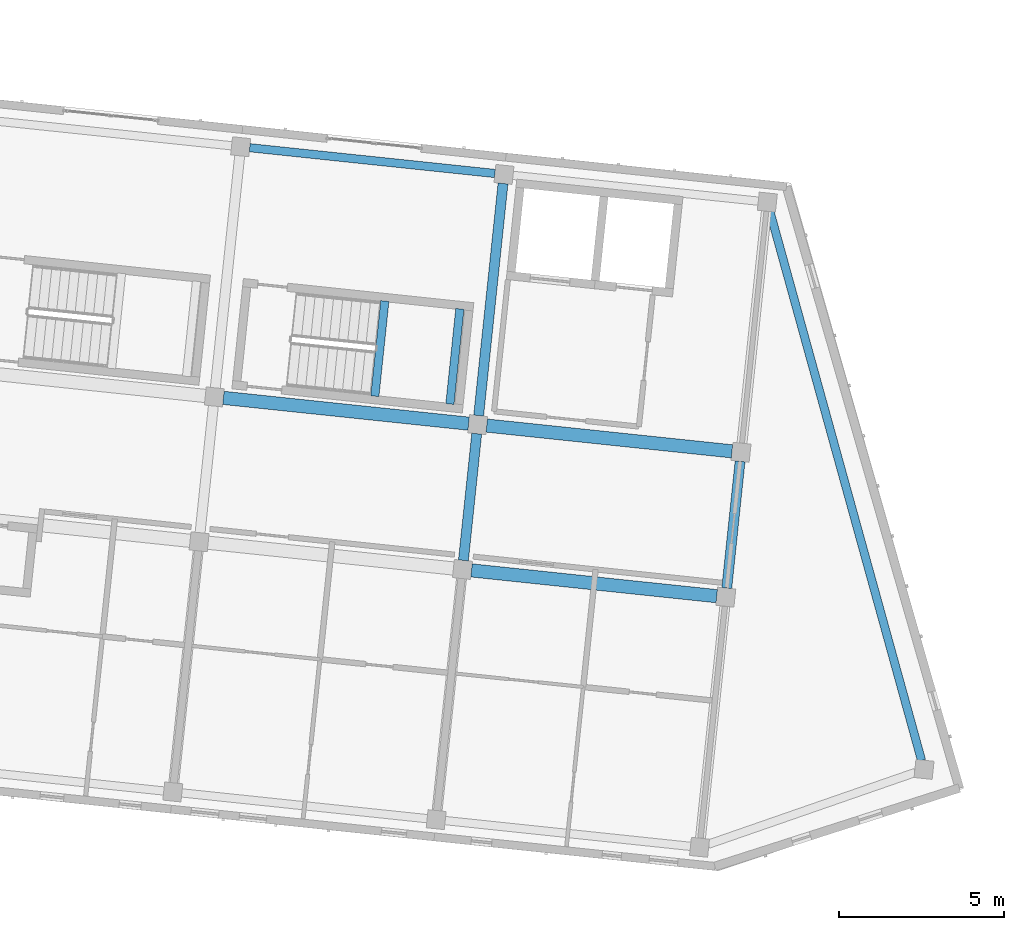
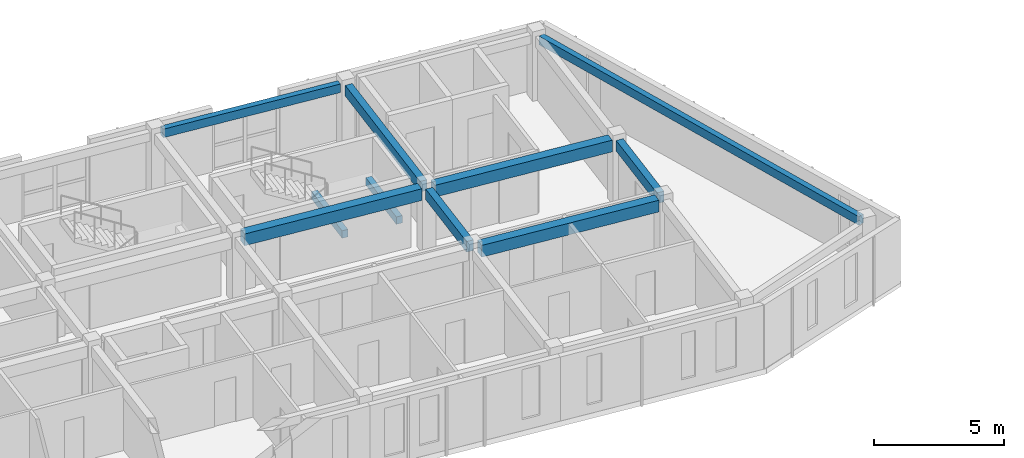
# One storey, part 14 of 66: 10 beams.
"""IFC4 building model written with IfcOpenShell, lengths in metres."""

from ifc_helpers import new_model, si_unit, direction, frame, origin, origin_2d, place, context, subcontext, project, spatial, rectangle, extrude, material, material_profile, profile_set, type_object, element, save


model = new_model("IFC4")

# Units and contexts
model_context = context("Model", 3, precision=1e-05, world=origin(), true_north=direction((0.0, 1.0)))
body_context = subcontext(model_context, "Body", "Model", "MODEL_VIEW")
ifc_project = project(units=[si_unit("LENGTHUNIT", "METRE"), si_unit("AREAUNIT", "SQUARE_METRE"), si_unit("VOLUMEUNIT", "CUBIC_METRE"), si_unit("PLANEANGLEUNIT", "RADIAN"), si_unit("MASSUNIT", "GRAM", prefix="KILO")], contexts=[model_context])

# Site, building, storey
site_placement = place(None, origin())
site = spatial("IfcSite", under=ifc_project, at=site_placement, CompositionType="ELEMENT")
building_placement = place(site_placement, origin())
building = spatial("IfcBuilding", under=site, at=building_placement, Name="Kestramere Prow Commons", CompositionType="ELEMENT")
storey_placement = place(building_placement, frame((0.0, 0.0, 14.89990234375)))
storey = spatial("IfcBuildingStorey", under=building, at=storey_placement, Name="L04", CompositionType="ELEMENT", Elevation=14.89990234375)

# Beams
ifc_material_1 = material(Name="Precast concrete C40/50", Category="concrete")
ifc_material_profile_1 = material_profile(ifc_material_1, rectangle(XDim=0.39990234375, YDim=0.550048828125, at=origin_2d()), Name="PC-BM 400x550")
ifc_profile_set_1 = profile_set([ifc_material_profile_1], Name="Precast concrete C40/50")
beam_type_1 = type_object("IfcBeamType", Name="BM-B1 PC-BM 400x550", PredefinedType="BEAM", material=ifc_profile_set_1)
for number, where, z_axis, x_axis, name in (
    (1, (150.848876953125, 98.1484375, 2.72509765625), (0.994520884665, -0.104538079019, 0.0), (0.104538079019, 0.994520884665, 0.0), "Block B L04 Longitudinal Beam 2-6"),
    (2, (143.3525390625, 103.360595703125, 2.72509765625), (0.994520884665, -0.104538079019, 0.0), (0.104538079019, 0.994520884665, 0.0), "Block B L04 Longitudinal Beam 3-5"),
):
    element("IfcBeam", number, at=place(storey_placement, frame(where, z_axis=z_axis, x_axis=x_axis)), inside=storey, type_object=beam_type_1, Name=name, PredefinedType="BEAM", context=body_context, shape_type="SweptSolid", body=[
        extrude(rectangle(XDim=0.39990234375, YDim=0.550048828125, at=origin_2d()), origin(), (0.0, 0.0, 1.0), 7.449951171875),
    ])
beam_1_placement = place(storey_placement, frame((151.30859375, 102.5244140625, 2.72509765625), z_axis=(0.994521242771, -0.104534672129, 0.0), x_axis=(0.104534672129, 0.994521242771, 0.0)))
element("IfcBeam", 3, at=beam_1_placement, inside=storey, type_object=beam_type_1, Name="Block B L04 Longitudinal Beam 3-6", PredefinedType="BEAM", context=body_context, shape_type="SweptSolid", body=[
    extrude(rectangle(XDim=0.39990234375, YDim=0.550048828125, at=origin_2d()), origin(), (0.0, 0.0, 1.0), 7.4501953125),
])
ifc_material_2 = material(Name="Concrete C40/50", Category="concrete")
ifc_material_profile_2 = material_profile(ifc_material_2, rectangle(XDim=0.25, YDim=0.35009765625, at=origin_2d()), Name="PC-BM 250x350")
ifc_profile_set_2 = profile_set([ifc_material_profile_2], Name="Concrete C40/50")
beam_type_2 = type_object("IfcBeamType", Name="BM-ST-TRIM", PredefinedType="BEAM", material=ifc_profile_set_2)
for number, where, z_axis, x_axis, name in (
    (4, (147.927978515625, 103.41259765625, 1.25), (0.104579248847, 0.994516556278, 0.0), (-0.994516556278, 0.104579248847, 0.0), "ST-B2 L04 Landing Trimmer Beam 1A"),
    (5, (150.195556640625, 103.17431640625, 1.25), (0.104495697268, 0.994525338668, 0.0), (-0.994525338668, 0.104495697268, 0.0), "ST-B2 L04 Landing Trimmer Beam 1B"),
):
    element("IfcBeam", number, at=place(storey_placement, frame(where, z_axis=z_axis, x_axis=x_axis)), inside=storey, type_object=beam_type_2, Name=name, PredefinedType="BEAM", context=body_context, shape_type="SweptSolid", body=[
        extrude(rectangle(XDim=0.25, YDim=0.35009765625, at=origin_2d()), origin(), (0.0, 0.0, 1.0), 2.89013671875),
    ])
ifc_material_profile_3 = material_profile(ifc_material_1, rectangle(XDim=0.300048828125, YDim=0.5, at=origin_2d()), Name="PC-BM 300x500")
ifc_profile_set_3 = profile_set([ifc_material_profile_3], Name="Precast concrete C40/50")
beam_type_3 = type_object("IfcBeamType", Name="BM-TIE-01 PC-BM 300x500", PredefinedType="BEAM", material=ifc_profile_set_3)
beam_2_placement = place(storey_placement, frame((150.60400390625, 98.45068359375, 2.75), z_axis=(0.104569249198, 0.994517607749, 0.0), x_axis=(-0.994517607749, 0.104569249198, 0.0)))
element("IfcBeam", 6, at=beam_2_placement, inside=storey, type_object=beam_type_3, Name="Block B L04 Transverse Beam 6-2", PredefinedType="BEAM", context=body_context, shape_type="SweptSolid", body=[
    extrude(rectangle(XDim=0.300048828125, YDim=0.5, at=origin_2d()), origin(), (0.0, 0.0, 1.0), 3.849853515625),
])
beam_3_placement = place(storey_placement, frame((151.06396484375, 102.82666015625, 2.75), z_axis=(0.104515329964, 0.994523275646, 0.0), x_axis=(-0.994523275646, 0.104515329964, 0.0)))
element("IfcBeam", 7, at=beam_3_placement, inside=storey, type_object=beam_type_3, Name="Block B L04 Transverse Beam 6-3", PredefinedType="BEAM", context=body_context, shape_type="SweptSolid", body=[
    extrude(rectangle(XDim=0.300048828125, YDim=0.5, at=origin_2d()), origin(), (0.0, 0.0, 1.0), 7.0498046875),
])
beam_4_placement = place(storey_placement, frame((158.560302734375, 97.614501953125, 2.75), z_axis=(0.104506528251, 0.994524200587, 0.0), x_axis=(-0.994524200587, 0.104506528251, 0.0)))
element("IfcBeam", 8, at=beam_4_placement, inside=storey, type_object=beam_type_3, Name="Block B L04 Transverse Beam 7-2", PredefinedType="BEAM", context=body_context, shape_type="SweptSolid", body=[
    extrude(rectangle(XDim=0.300048828125, YDim=0.5, at=origin_2d()), origin(), (0.0, 0.0, 1.0), 3.849853515625),
])
ifc_material_profile_4 = material_profile(ifc_material_1, rectangle(XDim=0.25, YDim=0.39990234375, at=origin_2d()), Name="PC-SP 250x400")
ifc_profile_set_4 = profile_set([ifc_material_profile_4], Name="Precast concrete C40/50")
beam_type_4 = type_object("IfcBeamType", Name="SP-EXT-01 PC-SP 250x400", PredefinedType="SPANDREL", material=ifc_profile_set_4)
beam_5_placement = place(storey_placement, frame((159.8603515625, 109.00537109375, 2.800048828125), z_axis=(0.266276973363, -0.963896557446, 0.0), x_axis=(0.963896557446, 0.266276973363, 0.0)))
element("IfcBeam", 9, at=beam_5_placement, inside=storey, type_object=beam_type_4, Name="Block B L04 Prow Facet Beam N", PredefinedType="SPANDREL", context=body_context, shape_type="SweptSolid", body=[
    extrude(rectangle(XDim=0.25, YDim=0.39990234375, at=origin_2d()), origin(), (0.0, 0.0, 1.0), 17.220703125),
])
beam_6_placement = place(storey_placement, frame((144.14697265625, 110.9189453125, 2.800048828125), z_axis=(0.994520884665, -0.104538079019, 0.0), x_axis=(0.104538079019, 0.994520884665, 0.0)))
element("IfcBeam", 10, at=beam_6_placement, inside=storey, type_object=beam_type_4, Name="Block B L04 Longitudinal Beam 4-5", PredefinedType="SPANDREL", context=body_context, shape_type="SweptSolid", body=[
    extrude(rectangle(XDim=0.25, YDim=0.39990234375, at=origin_2d()), origin(), (0.0, 0.0, 1.0), 7.449951171875),
])

save(model, "model.ifc")
